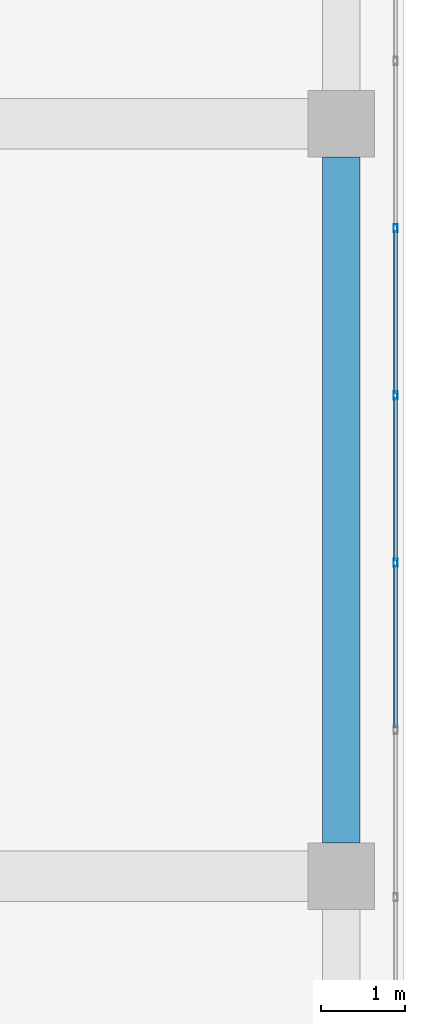
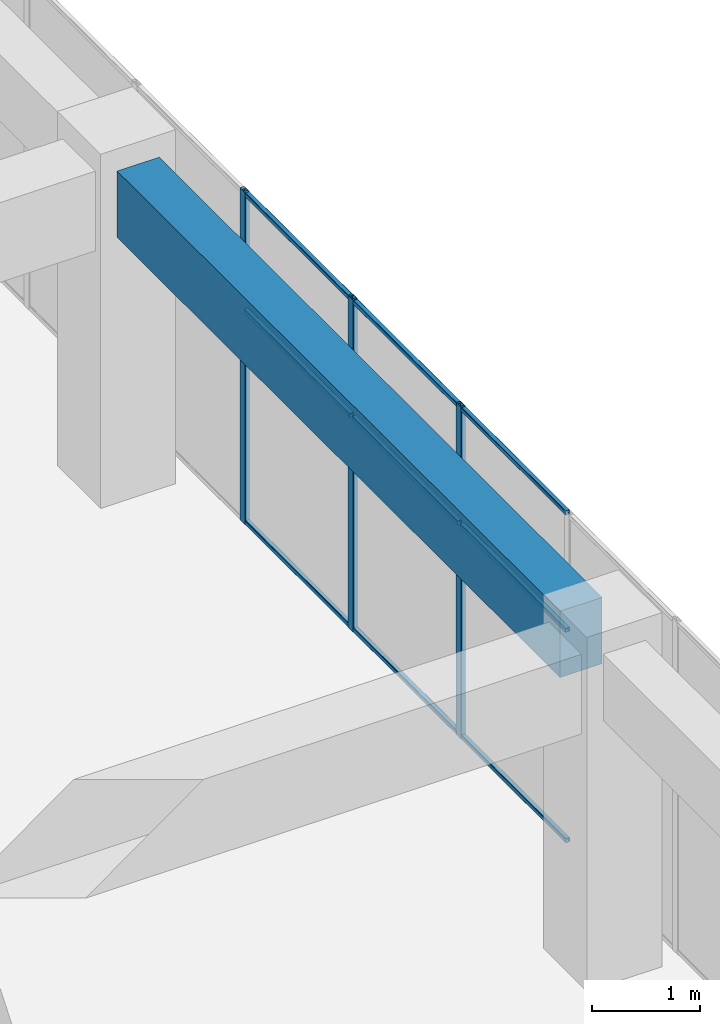
# One storey, part 41 of 65: 12 members, 1 beam, 1 element without a shape of its own.
"""IFC4 building model written with IfcOpenShell, lengths in metres."""

from ifc_helpers import new_model, si_unit, direction, frame, origin, origin_2d, place, context, subcontext, project, spatial, rectangle, hollow_rectangle, extrude, material, layer, layer_set, material_profile, profile_set, type_object, element, aggregate, save


model = new_model("IFC4")

# Units and contexts
model_context = context("Model", 3, precision=1e-05, world=origin(), true_north=direction((0.0, 1.0)))
body_context = subcontext(model_context, "Body", "Model", "MODEL_VIEW")
ifc_project = project(units=[si_unit("LENGTHUNIT", "METRE"), si_unit("AREAUNIT", "SQUARE_METRE"), si_unit("VOLUMEUNIT", "CUBIC_METRE"), si_unit("PLANEANGLEUNIT", "RADIAN"), si_unit("MASSUNIT", "GRAM", prefix="KILO")], contexts=[model_context])

# Site, building, storey
site_placement = place(None, origin())
site = spatial("IfcSite", under=ifc_project, at=site_placement, CompositionType="ELEMENT")
building_placement = place(site_placement, origin())
building = spatial("IfcBuilding", under=site, at=building_placement, Name="Tuart Plaza Theatre", CompositionType="ELEMENT")
storey_placement = place(building_placement, frame((0.0, 0.0, 9.5)))
storey = spatial("IfcBuildingStorey", under=building, at=storey_placement, Name="L02", CompositionType="ELEMENT", Elevation=9.5)

# Beam
ifc_material_1 = material(Name="Concrete N40 (40 MPa)", Category="concrete")
ifc_material_profile_1 = material_profile(ifc_material_1, rectangle(XDim=0.449951171875, YDim=0.75, at=origin_2d()), Name="BEAM 450x750 Concrete N40 (40 MPa)")
ifc_profile_set_1 = profile_set([ifc_material_profile_1], Name="Concrete N40 (40 MPa)")
beam_type = type_object("IfcBeamType", Name="BEAM 450x750 Concrete N40 (40 MPa)", PredefinedType="BEAM", material=ifc_profile_set_1)
beam_placement = place(storey_placement, frame((150.0, 65.39990234375, 3.375), z_axis=(0.0, 1.0, 0.0), x_axis=(-1.0, 0.0, 0.0)))
element("IfcBeam", 1, at=beam_placement, inside=storey, type_object=beam_type, Name="RB199", PredefinedType="BEAM", context=body_context, shape_type="SweptSolid", body=[
    extrude(rectangle(XDim=0.449951171875, YDim=0.75, at=origin_2d()), origin(), (0.0, 0.0, 1.0), 8.2001953125),
])

# Curtain wall, members
ifc_material_2 = material(Name="Aluminium and glass", Category="aluminium")
ifc_layer = layer(ifc_material_2, 0.10009765625)
ifc_layer_set = layer_set([ifc_layer], Name="CURTAIN WALL 2000 module")
curtain_wall_type = type_object("IfcCurtainWallType", Name="CURTAIN WALL 2000 module", PredefinedType="NOTDEFINED", material=ifc_layer_set)
curtain_wall_placement = place(storey_placement, origin())
curtain_wall = element("IfcCurtainWall", 2, at=curtain_wall_placement, inside=storey, type_object=curtain_wall_type, Name="CW69", PredefinedType="NOTDEFINED")
ifc_material_3 = material(Name="Aluminium 6063-T5", Category="aluminium")
ifc_material_profile_2 = material_profile(ifc_material_3, hollow_rectangle(XDim=0.050048828125, YDim=0.10009765625, WallThickness=0.00390625, InnerFilletRadius=0.00390625, OuterFilletRadius=0.008056640625, at=origin_2d()), Name="RHS 100x50x4")
ifc_profile_set_2 = profile_set([ifc_material_profile_2], Name="Aluminium 6063-T5")
member_type_1 = type_object("IfcMemberType", Name="MULLION RHS 100x50x4", PredefinedType="MULLION", material=ifc_profile_set_2)
member_1_placement = place(storey_placement, frame((150.64990234375, 68.75, 0.0), z_axis=(0.0, 0.0, 1.0), x_axis=(-1.0, 0.0, 0.0)))
member_1 = element("IfcMember", 3, at=member_1_placement, type_object=member_type_1, Name="CW69 mullion 10", PredefinedType="MULLION", context=body_context, shape_type="SweptSolid", body=[
    extrude(hollow_rectangle(XDim=0.050048828125, YDim=0.10009765625, WallThickness=0.00390625, InnerFilletRadius=0.00390625, OuterFilletRadius=0.008056640625, at=origin_2d()), origin(), (0.0, 0.0, 1.0), 3.75),
])
member_2_placement = place(storey_placement, frame((150.64990234375, 70.75, 0.0), z_axis=(0.0, 0.0, 1.0), x_axis=(-1.0, 0.0, 0.0)))
member_2 = element("IfcMember", 4, at=member_2_placement, type_object=member_type_1, Name="CW69 mullion 11", PredefinedType="MULLION", context=body_context, shape_type="SweptSolid", body=[
    extrude(hollow_rectangle(XDim=0.050048828125, YDim=0.10009765625, WallThickness=0.00390625, InnerFilletRadius=0.00390625, OuterFilletRadius=0.008056640625, at=origin_2d()), origin(), (0.0, 0.0, 1.0), 3.75),
])
member_3_placement = place(storey_placement, frame((150.64990234375, 72.75, 0.0), z_axis=(0.0, 0.0, 1.0), x_axis=(-1.0, 0.0, 0.0)))
member_3 = element("IfcMember", 5, at=member_3_placement, type_object=member_type_1, Name="CW69 mullion 12", PredefinedType="MULLION", context=body_context, shape_type="SweptSolid", body=[
    extrude(hollow_rectangle(XDim=0.050048828125, YDim=0.10009765625, WallThickness=0.00390625, InnerFilletRadius=0.00390625, OuterFilletRadius=0.008056640625, at=origin_2d()), origin(), (0.0, 0.0, 1.0), 3.75),
])
ifc_material_4 = material(Name="Aluminium 6063-T5", Category="aluminium")
ifc_material_profile_3 = material_profile(ifc_material_4, hollow_rectangle(XDim=0.050048828125, YDim=0.050048828125, WallThickness=0.00390625, InnerFilletRadius=0.00390625, OuterFilletRadius=0.008056640625, at=origin_2d()), Name="RHS 50x50x4")
ifc_profile_set_3 = profile_set([ifc_material_profile_3], Name="Aluminium 6063-T5")
member_type_2 = type_object("IfcMemberType", Name="TRANSOM RHS 50x50x4", PredefinedType="USERDEFINED", material=ifc_profile_set_3)
member_4_placement = place(storey_placement, frame((150.64990234375, 66.77490234375, 0.02490234375), z_axis=(0.0, 1.0, 0.0), x_axis=(-1.0, 0.0, 0.0)))
member_4 = element("IfcMember", 6, at=member_4_placement, type_object=member_type_2, Name="CW69 transom 9.1", ObjectType="TRANSOM", PredefinedType="USERDEFINED", context=body_context, shape_type="SweptSolid", body=[
    extrude(hollow_rectangle(XDim=0.050048828125, YDim=0.050048828125, WallThickness=0.00390625, InnerFilletRadius=0.00390625, OuterFilletRadius=0.008056640625, at=origin_2d()), origin(), (0.0, 0.0, 1.0), 1.9501953125),
])
member_5_placement = place(storey_placement, frame((150.64990234375, 66.77490234375, 2.39990234375), z_axis=(0.0, 1.0, 0.0), x_axis=(-1.0, 0.0, 0.0)))
member_5 = element("IfcMember", 7, at=member_5_placement, type_object=member_type_2, Name="CW69 transom 9.2", ObjectType="TRANSOM", PredefinedType="USERDEFINED", context=body_context, shape_type="SweptSolid", body=[
    extrude(hollow_rectangle(XDim=0.050048828125, YDim=0.050048828125, WallThickness=0.00390625, InnerFilletRadius=0.00390625, OuterFilletRadius=0.008056640625, at=origin_2d()), origin(), (0.0, 0.0, 1.0), 1.9501953125),
])
member_6_placement = place(storey_placement, frame((150.64990234375, 66.77490234375, 3.72509765625), z_axis=(0.0, 1.0, 0.0), x_axis=(-1.0, 0.0, 0.0)))
member_6 = element("IfcMember", 8, at=member_6_placement, type_object=member_type_2, Name="CW69 transom 9.3", ObjectType="TRANSOM", PredefinedType="USERDEFINED", context=body_context, shape_type="SweptSolid", body=[
    extrude(hollow_rectangle(XDim=0.050048828125, YDim=0.050048828125, WallThickness=0.00390625, InnerFilletRadius=0.00390625, OuterFilletRadius=0.008056640625, at=origin_2d()), origin(), (0.0, 0.0, 1.0), 1.9501953125),
])
member_7_placement = place(storey_placement, frame((150.64990234375, 68.77490234375, 0.02490234375), z_axis=(0.0, 1.0, 0.0), x_axis=(-1.0, 0.0, 0.0)))
member_7 = element("IfcMember", 9, at=member_7_placement, type_object=member_type_2, Name="CW69 transom 10.1", ObjectType="TRANSOM", PredefinedType="USERDEFINED", context=body_context, shape_type="SweptSolid", body=[
    extrude(hollow_rectangle(XDim=0.050048828125, YDim=0.050048828125, WallThickness=0.00390625, InnerFilletRadius=0.00390625, OuterFilletRadius=0.008056640625, at=origin_2d()), origin(), (0.0, 0.0, 1.0), 1.9501953125),
])
member_8_placement = place(storey_placement, frame((150.64990234375, 68.77490234375, 2.39990234375), z_axis=(0.0, 1.0, 0.0), x_axis=(-1.0, 0.0, 0.0)))
member_8 = element("IfcMember", 10, at=member_8_placement, type_object=member_type_2, Name="CW69 transom 10.2", ObjectType="TRANSOM", PredefinedType="USERDEFINED", context=body_context, shape_type="SweptSolid", body=[
    extrude(hollow_rectangle(XDim=0.050048828125, YDim=0.050048828125, WallThickness=0.00390625, InnerFilletRadius=0.00390625, OuterFilletRadius=0.008056640625, at=origin_2d()), origin(), (0.0, 0.0, 1.0), 1.9501953125),
])
member_9_placement = place(storey_placement, frame((150.64990234375, 68.77490234375, 3.72509765625), z_axis=(0.0, 1.0, 0.0), x_axis=(-1.0, 0.0, 0.0)))
member_9 = element("IfcMember", 11, at=member_9_placement, type_object=member_type_2, Name="CW69 transom 10.3", ObjectType="TRANSOM", PredefinedType="USERDEFINED", context=body_context, shape_type="SweptSolid", body=[
    extrude(hollow_rectangle(XDim=0.050048828125, YDim=0.050048828125, WallThickness=0.00390625, InnerFilletRadius=0.00390625, OuterFilletRadius=0.008056640625, at=origin_2d()), origin(), (0.0, 0.0, 1.0), 1.9501953125),
])
member_10_placement = place(storey_placement, frame((150.64990234375, 70.77490234375, 0.02490234375), z_axis=(0.0, 1.0, 0.0), x_axis=(-1.0, 0.0, 0.0)))
member_10 = element("IfcMember", 12, at=member_10_placement, type_object=member_type_2, Name="CW69 transom 11.1", ObjectType="TRANSOM", PredefinedType="USERDEFINED", context=body_context, shape_type="SweptSolid", body=[
    extrude(hollow_rectangle(XDim=0.050048828125, YDim=0.050048828125, WallThickness=0.00390625, InnerFilletRadius=0.00390625, OuterFilletRadius=0.008056640625, at=origin_2d()), origin(), (0.0, 0.0, 1.0), 1.9501953125),
])
member_11_placement = place(storey_placement, frame((150.64990234375, 70.77490234375, 2.39990234375), z_axis=(0.0, 1.0, 0.0), x_axis=(-1.0, 0.0, 0.0)))
member_11 = element("IfcMember", 13, at=member_11_placement, type_object=member_type_2, Name="CW69 transom 11.2", ObjectType="TRANSOM", PredefinedType="USERDEFINED", context=body_context, shape_type="SweptSolid", body=[
    extrude(hollow_rectangle(XDim=0.050048828125, YDim=0.050048828125, WallThickness=0.00390625, InnerFilletRadius=0.00390625, OuterFilletRadius=0.008056640625, at=origin_2d()), origin(), (0.0, 0.0, 1.0), 1.9501953125),
])
member_12_placement = place(storey_placement, frame((150.64990234375, 70.77490234375, 3.72509765625), z_axis=(0.0, 1.0, 0.0), x_axis=(-1.0, 0.0, 0.0)))
member_12 = element("IfcMember", 14, at=member_12_placement, type_object=member_type_2, Name="CW69 transom 11.3", ObjectType="TRANSOM", PredefinedType="USERDEFINED", context=body_context, shape_type="SweptSolid", body=[
    extrude(hollow_rectangle(XDim=0.050048828125, YDim=0.050048828125, WallThickness=0.00390625, InnerFilletRadius=0.00390625, OuterFilletRadius=0.008056640625, at=origin_2d()), origin(), (0.0, 0.0, 1.0), 1.9501953125),
])
aggregate(curtain_wall, [member_1, member_2, member_3, member_4, member_5, member_6, member_7, member_8, member_9, member_10, member_11, member_12])

save(model, "model.ifc")
